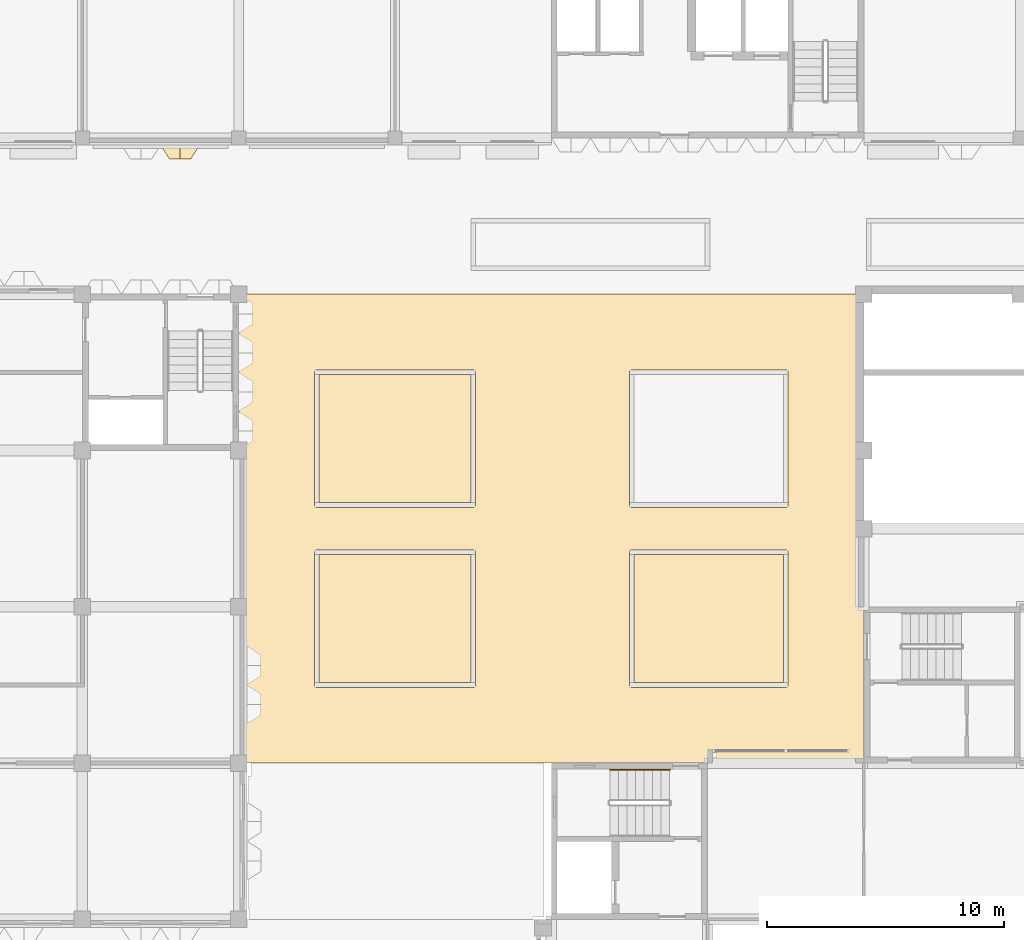
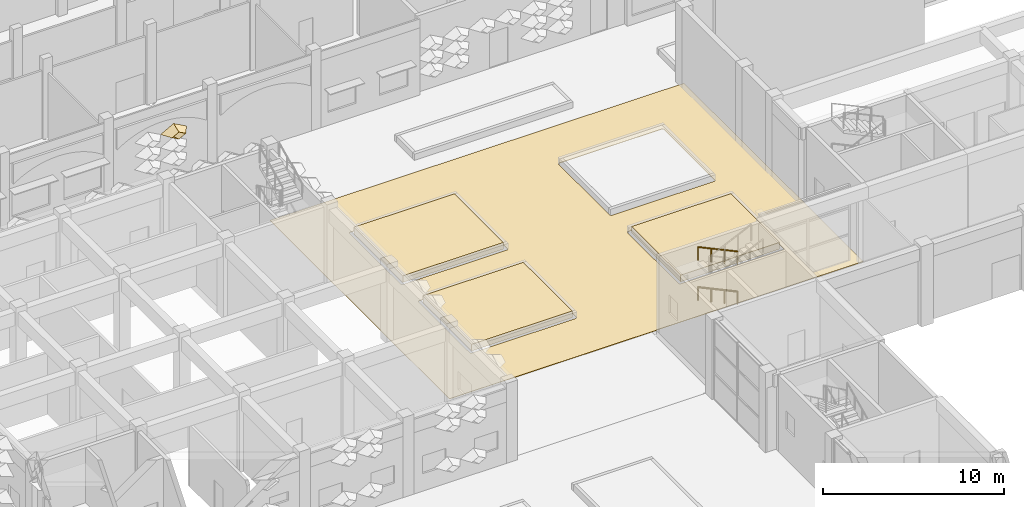
# One storey, part 69 of 85: 5 coverings, 2 railings.
"""IFC4 building model written with IfcOpenShell, lengths in metres."""

from ifc_helpers import new_model, entity, si_unit, direction, frame, origin, origin_2d, place, context, subcontext, project, spatial, polyline, circle, outline, extrude, material, layer, layer_set, type_object, element, save


model = new_model("IFC4")

# Units and contexts
model_context = context("Model", 3, precision=1e-05, world=origin(), true_north=direction((0.0, 1.0)))
body_context = subcontext(model_context, "Body", "Model", "MODEL_VIEW")
ifc_project = project(units=[si_unit("LENGTHUNIT", "METRE"), si_unit("AREAUNIT", "SQUARE_METRE"), si_unit("VOLUMEUNIT", "CUBIC_METRE"), si_unit("PLANEANGLEUNIT", "RADIAN"), si_unit("MASSUNIT", "GRAM", prefix="KILO")], contexts=[model_context])

# Site, building, storey
site_placement = place(None, origin())
site = spatial("IfcSite", under=ifc_project, at=site_placement, CompositionType="ELEMENT")
building_placement = place(site_placement, origin())
building = spatial("IfcBuilding", under=site, at=building_placement, Name="Lantern Court Research Institute", CompositionType="ELEMENT")
storey_placement = place(building_placement, origin())
storey = spatial("IfcBuildingStorey", under=building, at=storey_placement, Name="L00", CompositionType="ELEMENT", Elevation=0.0)

# Coverings
ifc_material_1 = material(Name="Anodised aluminium", Category="aluminium")
ifc_layer_1 = layer(ifc_material_1, 0.01611328125)
ifc_layer_set_1 = layer_set([ifc_layer_1], Name="Anodised aluminium")
covering_type_1 = type_object("IfcCoveringType", Name="Fin cassette 1650 x 900 x 600 aluminium", PredefinedType="CLADDING", material=ifc_layer_set_1)
covering_1_placement = place(storey_placement, frame((23.925048828125, 82.199951171875, 3.14990234375), z_axis=(0.0, -1.0, 0.0), x_axis=(1.0, 0.0, 0.0)))
cartesian_point_1 = entity("IfcCartesianPoint", [0.824951171875, 0.0])
cartesian_point_2 = entity("IfcCartesianPoint", [0.79150390625, 0.0])
cartesian_point_3 = entity("IfcCartesianPoint", [0.44189453125, 0.0])
cartesian_point_4 = entity("IfcCartesianPoint", [0.43359375, 0.0])
element("IfcCovering", 1, at=covering_1_placement, inside=storey, type_object=covering_type_1, Name="Fin cassette V6S-L00 4.15", PredefinedType="CLADDING", context=body_context, shape_type="SweptSolid", body=[
    entity("IfcExtrudedAreaSolidTapered", entity("IfcArbitraryProfileDefWithVoids", "AREA", None, entity("IfcPolyline", [cartesian_point_1, entity("IfcCartesianPoint", [0.0, 0.449951171875]), entity("IfcCartesianPoint", [-0.824951171875, 0.0]), entity("IfcCartesianPoint", [0.0, -0.449951171875]), cartesian_point_1]), [entity("IfcPolyline", [cartesian_point_2, entity("IfcCartesianPoint", [0.0, 0.431884765625]), entity("IfcCartesianPoint", [-0.79150390625, 0.0]), entity("IfcCartesianPoint", [0.0, -0.431884765625]), cartesian_point_2])]), entity("IfcAxis2Placement3D", entity("IfcCartesianPoint", [0.0, 0.0, 0.0])), entity("IfcDirection", [0.0, 0.0, 1.0]), 0.60009765625, entity("IfcArbitraryProfileDefWithVoids", "AREA", None, entity("IfcPolyline", [cartesian_point_3, entity("IfcCartesianPoint", [0.0, 0.240966796875]), entity("IfcCartesianPoint", [-0.44189453125, 0.0]), entity("IfcCartesianPoint", [0.0, -0.240966796875]), cartesian_point_3]), [entity("IfcPolyline", [cartesian_point_4, entity("IfcCartesianPoint", [0.0, 0.236572265625]), entity("IfcCartesianPoint", [-0.43359375, 0.0]), entity("IfcCartesianPoint", [0.0, -0.236572265625]), cartesian_point_4])])),
])
ifc_material_2 = material(Name="Bound gravel")
ifc_layer_2 = layer(ifc_material_2, 0.030029296875)
ifc_layer_set_2 = layer_set([ifc_layer_2], Name="Bound gravel")
covering_type_2 = type_object("IfcCoveringType", Name="Garden walk paving 30 mm", PredefinedType="FLOORING", material=ifc_layer_set_2)
covering_2_placement = place(storey_placement, origin())
element("IfcCovering", 2, at=covering_2_placement, inside=storey, type_object=covering_type_2, Name="Garden walk paving 1", PredefinedType="FLOORING", context=body_context, shape_type="SweptSolid", body=[
    extrude(outline(polyline([(39.595947265625, 56.1201171875), (39.593994140625, 56.118896484375), (39.592041015625, 56.117919921875), (39.591064453125, 56.117919921875), (39.589111328125, 56.116943359375), (39.5869140625, 56.114990234375), (39.5859375, 56.114013671875), (39.5849609375, 56.113037109375), (39.5830078125, 56.111083984375), (39.58203125, 56.10888671875), (39.58203125, 56.10791015625), (39.5810546875, 56.10595703125), (39.580078125, 56.10400390625), (39.580078125, 56.10205078125), (39.580078125, 56.10009765625), (26.419921875, 56.10009765625), (26.419921875, 75.89990234375), (52.780029296875, 75.89990234375), (52.780029296875, 56.1201171875), (39.60009765625, 56.1201171875), (39.597900390625, 56.1201171875), (39.595947265625, 56.1201171875)]), holes=[polyline([(36.337890625, 59.30810546875), (36.346923828125, 59.31201171875), (36.35595703125, 59.31689453125), (36.363037109375, 59.322998046875), (36.37109375, 59.3291015625), (36.376953125, 59.3369140625), (36.383056640625, 59.343994140625), (36.387939453125, 59.35302734375), (36.39208984375, 59.362060546875), (36.39599609375, 59.37109375), (36.39794921875, 59.3798828125), (36.39990234375, 59.389892578125), (36.39990234375, 59.39990234375), (36.39990234375, 65.0), (36.39990234375, 65.010009765625), (36.39794921875, 65.02001953125), (36.39599609375, 65.029052734375), (36.39208984375, 65.0380859375), (36.387939453125, 65.047119140625), (36.383056640625, 65.055908203125), (36.376953125, 65.06298828125), (36.37109375, 65.071044921875), (36.363037109375, 65.076904296875), (36.35595703125, 65.0830078125), (36.346923828125, 65.087890625), (36.337890625, 65.092041015625), (36.3291015625, 65.095947265625), (36.320068359375, 65.097900390625), (36.31005859375, 65.10009765625), (36.300048828125, 65.10009765625), (29.699951171875, 65.10009765625), (29.68994140625, 65.10009765625), (29.679931640625, 65.097900390625), (29.6708984375, 65.095947265625), (29.662109375, 65.092041015625), (29.653076171875, 65.087890625), (29.64404296875, 65.0830078125), (29.636962890625, 65.076904296875), (29.62890625, 65.071044921875), (29.623046875, 65.06298828125), (29.616943359375, 65.055908203125), (29.612060546875, 65.047119140625), (29.60791015625, 65.0380859375), (29.60400390625, 65.029052734375), (29.60205078125, 65.02001953125), (29.60009765625, 65.010009765625), (29.60009765625, 65.0), (29.60009765625, 59.39990234375), (29.60009765625, 59.389892578125), (29.60205078125, 59.3798828125), (29.60400390625, 59.37109375), (29.60791015625, 59.362060546875), (29.612060546875, 59.35302734375), (29.616943359375, 59.343994140625), (29.623046875, 59.3369140625), (29.62890625, 59.3291015625), (29.636962890625, 59.322998046875), (29.64404296875, 59.31689453125), (29.653076171875, 59.31201171875), (29.662109375, 59.30810546875), (29.6708984375, 59.303955078125), (29.679931640625, 59.302001953125), (29.68994140625, 59.300048828125), (29.699951171875, 59.300048828125), (36.300048828125, 59.300048828125), (36.31005859375, 59.300048828125), (36.320068359375, 59.302001953125), (36.3291015625, 59.303955078125), (36.337890625, 59.30810546875)]), polyline([(36.3291015625, 66.904052734375), (36.337890625, 66.907958984375), (36.346923828125, 66.912109375), (36.35595703125, 66.9169921875), (36.363037109375, 66.923095703125), (36.37109375, 66.928955078125), (36.376953125, 66.93701171875), (36.383056640625, 66.944091796875), (36.387939453125, 66.952880859375), (36.39208984375, 66.9619140625), (36.39599609375, 66.970947265625), (36.39794921875, 66.97998046875), (36.39990234375, 66.989990234375), (36.39990234375, 67.0), (36.39990234375, 72.60009765625), (36.39990234375, 72.610107421875), (36.39794921875, 72.6201171875), (36.39599609375, 72.62890625), (36.39208984375, 72.637939453125), (36.387939453125, 72.64697265625), (36.383056640625, 72.656005859375), (36.376953125, 72.6630859375), (36.37109375, 72.6708984375), (36.363037109375, 72.677001953125), (36.35595703125, 72.68310546875), (36.346923828125, 72.68798828125), (36.337890625, 72.69189453125), (36.3291015625, 72.696044921875), (36.320068359375, 72.697998046875), (36.31005859375, 72.699951171875), (36.300048828125, 72.699951171875), (29.699951171875, 72.699951171875), (29.68994140625, 72.699951171875), (29.679931640625, 72.697998046875), (29.6708984375, 72.696044921875), (29.662109375, 72.69189453125), (29.653076171875, 72.68798828125), (29.64404296875, 72.68310546875), (29.636962890625, 72.677001953125), (29.62890625, 72.6708984375), (29.623046875, 72.6630859375), (29.616943359375, 72.656005859375), (29.612060546875, 72.64697265625), (29.60791015625, 72.637939453125), (29.60400390625, 72.62890625), (29.60205078125, 72.6201171875), (29.60009765625, 72.610107421875), (29.60009765625, 72.60009765625), (29.60009765625, 67.0), (29.60009765625, 66.989990234375), (29.60205078125, 66.97998046875), (29.60400390625, 66.970947265625), (29.60791015625, 66.9619140625), (29.612060546875, 66.952880859375), (29.616943359375, 66.944091796875), (29.623046875, 66.93701171875), (29.62890625, 66.928955078125), (29.636962890625, 66.923095703125), (29.64404296875, 66.9169921875), (29.653076171875, 66.912109375), (29.662109375, 66.907958984375), (29.6708984375, 66.904052734375), (29.679931640625, 66.902099609375), (29.68994140625, 66.89990234375), (29.699951171875, 66.89990234375), (36.300048828125, 66.89990234375), (36.31005859375, 66.89990234375), (36.320068359375, 66.902099609375), (36.3291015625, 66.904052734375)]), polyline([(49.52001953125, 59.302001953125), (49.529052734375, 59.303955078125), (49.5380859375, 59.30810546875), (49.547119140625, 59.31201171875), (49.555908203125, 59.31689453125), (49.56298828125, 59.322998046875), (49.571044921875, 59.3291015625), (49.576904296875, 59.3369140625), (49.5830078125, 59.343994140625), (49.587890625, 59.35302734375), (49.592041015625, 59.362060546875), (49.595947265625, 59.37109375), (49.597900390625, 59.3798828125), (49.60009765625, 59.389892578125), (49.60009765625, 59.39990234375), (49.60009765625, 65.0), (49.60009765625, 65.010009765625), (49.597900390625, 65.02001953125), (49.595947265625, 65.029052734375), (49.592041015625, 65.0380859375), (49.587890625, 65.047119140625), (49.5830078125, 65.055908203125), (49.576904296875, 65.06298828125), (49.571044921875, 65.071044921875), (49.56298828125, 65.076904296875), (49.555908203125, 65.0830078125), (49.547119140625, 65.087890625), (49.5380859375, 65.092041015625), (49.529052734375, 65.095947265625), (49.52001953125, 65.097900390625), (49.510009765625, 65.10009765625), (49.5, 65.10009765625), (43.0, 65.10009765625), (42.989990234375, 65.10009765625), (42.97998046875, 65.097900390625), (42.970947265625, 65.095947265625), (42.9619140625, 65.092041015625), (42.952880859375, 65.087890625), (42.944091796875, 65.0830078125), (42.93701171875, 65.076904296875), (42.928955078125, 65.071044921875), (42.923095703125, 65.06298828125), (42.9169921875, 65.055908203125), (42.912109375, 65.047119140625), (42.907958984375, 65.0380859375), (42.904052734375, 65.029052734375), (42.902099609375, 65.02001953125), (42.89990234375, 65.010009765625), (42.89990234375, 65.0), (42.89990234375, 59.39990234375), (42.89990234375, 59.389892578125), (42.902099609375, 59.3798828125), (42.904052734375, 59.37109375), (42.907958984375, 59.362060546875), (42.912109375, 59.35302734375), (42.9169921875, 59.343994140625), (42.923095703125, 59.3369140625), (42.928955078125, 59.3291015625), (42.93701171875, 59.322998046875), (42.944091796875, 59.31689453125), (42.952880859375, 59.31201171875), (42.9619140625, 59.30810546875), (42.970947265625, 59.303955078125), (42.97998046875, 59.302001953125), (42.989990234375, 59.300048828125), (43.0, 59.300048828125), (49.5, 59.300048828125), (49.510009765625, 59.300048828125), (49.52001953125, 59.302001953125)]), polyline([(49.510009765625, 66.89990234375), (49.52001953125, 66.902099609375), (49.529052734375, 66.904052734375), (49.5380859375, 66.907958984375), (49.547119140625, 66.912109375), (49.555908203125, 66.9169921875), (49.56298828125, 66.923095703125), (49.571044921875, 66.928955078125), (49.576904296875, 66.93701171875), (49.5830078125, 66.944091796875), (49.587890625, 66.952880859375), (49.592041015625, 66.9619140625), (49.595947265625, 66.970947265625), (49.597900390625, 66.97998046875), (49.60009765625, 66.989990234375), (49.60009765625, 67.0), (49.60009765625, 72.60009765625), (49.60009765625, 72.610107421875), (49.597900390625, 72.6201171875), (49.595947265625, 72.62890625), (49.592041015625, 72.637939453125), (49.587890625, 72.64697265625), (49.5830078125, 72.656005859375), (49.576904296875, 72.6630859375), (49.571044921875, 72.6708984375), (49.56298828125, 72.677001953125), (49.555908203125, 72.68310546875), (49.547119140625, 72.68798828125), (49.5380859375, 72.69189453125), (49.529052734375, 72.696044921875), (49.52001953125, 72.697998046875), (49.510009765625, 72.699951171875), (49.5, 72.699951171875), (43.0, 72.699951171875), (42.989990234375, 72.699951171875), (42.97998046875, 72.697998046875), (42.970947265625, 72.696044921875), (42.9619140625, 72.69189453125), (42.952880859375, 72.68798828125), (42.944091796875, 72.68310546875), (42.93701171875, 72.677001953125), (42.928955078125, 72.6708984375), (42.923095703125, 72.6630859375), (42.9169921875, 72.656005859375), (42.912109375, 72.64697265625), (42.907958984375, 72.637939453125), (42.904052734375, 72.62890625), (42.902099609375, 72.6201171875), (42.89990234375, 72.610107421875), (42.89990234375, 72.60009765625), (42.89990234375, 67.0), (42.89990234375, 66.989990234375), (42.902099609375, 66.97998046875), (42.904052734375, 66.970947265625), (42.907958984375, 66.9619140625), (42.912109375, 66.952880859375), (42.9169921875, 66.944091796875), (42.923095703125, 66.93701171875), (42.928955078125, 66.928955078125), (42.93701171875, 66.923095703125), (42.944091796875, 66.9169921875), (42.952880859375, 66.912109375), (42.9619140625, 66.907958984375), (42.970947265625, 66.904052734375), (42.97998046875, 66.902099609375), (42.989990234375, 66.89990234375), (43.0, 66.89990234375), (49.5, 66.89990234375), (49.510009765625, 66.89990234375)])]), origin(), (0.0, 0.0, 1.0), 0.030029296875),
])
ifc_material_3 = material(Name="Planting soil")
ifc_layer_3 = layer(ifc_material_3, 0.449951171875)
ifc_layer_set_3 = layer_set([ifc_layer_3], Name="Planting soil")
covering_type_3 = type_object("IfcCoveringType", Name="Planting soil 450 mm", PredefinedType="FLOORING", material=ifc_layer_set_3)
covering_3_placement = place(storey_placement, origin())
element("IfcCovering", 3, at=covering_3_placement, inside=storey, type_object=covering_type_3, Name="Planting bed garden walk 1", PredefinedType="FLOORING", context=body_context, shape_type="SweptSolid", body=[
    extrude(outline(polyline([(29.800048828125, 59.5), (36.199951171875, 59.5), (36.199951171875, 64.89990234375), (29.800048828125, 64.89990234375), (29.800048828125, 59.5)])), origin(), (0.0, 0.0, 1.0), 0.449951171875),
])
covering_4_placement = place(storey_placement, origin())
element("IfcCovering", 4, at=covering_4_placement, inside=storey, type_object=covering_type_3, Name="Planting bed garden walk 2", PredefinedType="FLOORING", context=body_context, shape_type="SweptSolid", body=[
    extrude(outline(polyline([(29.800048828125, 67.10009765625), (36.199951171875, 67.10009765625), (36.199951171875, 72.5), (29.800048828125, 72.5), (29.800048828125, 67.10009765625)])), origin(), (0.0, 0.0, 1.0), 0.449951171875),
])
covering_5_placement = place(storey_placement, origin())
element("IfcCovering", 5, at=covering_5_placement, inside=storey, type_object=covering_type_3, Name="Planting bed garden walk 3", PredefinedType="FLOORING", context=body_context, shape_type="SweptSolid", body=[
    extrude(outline(polyline([(43.10009765625, 59.5), (49.39990234375, 59.5), (49.39990234375, 64.89990234375), (43.10009765625, 64.89990234375), (43.10009765625, 59.5)])), origin(), (0.0, 0.0, 1.0), 0.449951171875),
])

# Railings
ifc_material_4 = material(Name="Stainless steel 316", Category="steel")
railing_type = type_object("IfcRailingType", Name="Stair handrail 900 steel", PredefinedType="HANDRAIL", material=ifc_material_4)
for number, where, name in (
    (6, (44.60009765625, 55.824951171875, 0.168701171875), "L00 ST-H1 stair handrail 1"),
    (7, (44.60009765625, 55.824951171875, 2.86865234375), "L00 ST-H1 stair handrail 3"),
):
    element("IfcRailing", number, at=place(storey_placement, frame(where)), inside=storey, type_object=railing_type, Name=name, PredefinedType="HANDRAIL", context=body_context, shape_type="SweptSolid", body=[
        extrude(circle(Radius=0.02392578125, at=origin_2d()), frame((0.0, 0.0, 0.8759765625), z_axis=(-0.905439972488, 0.0, 0.424474329284), x_axis=(0.0, -1.0, 0.0)), (0.0, 0.0, 1.0), 2.783203125),
        extrude(circle(Radius=0.02099609375, at=origin_2d()), origin(), (0.0, 0.0, 1.0), 0.851806640625),
        extrude(circle(Radius=0.02099609375, at=origin_2d()), frame((-0.840087890625, 0.0, 0.393798828125)), (0.0, 0.0, 1.0), 0.851806640625),
        extrude(circle(Radius=0.02099609375, at=origin_2d()), frame((-1.679931640625, 0.0, 0.78759765625)), (0.0, 0.0, 1.0), 0.851806640625),
        extrude(circle(Radius=0.02099609375, at=origin_2d()), frame((-2.52001953125, 0.0, 1.181396484375)), (0.0, 0.0, 1.0), 0.851806640625),
    ])

save(model, "model.ifc")
